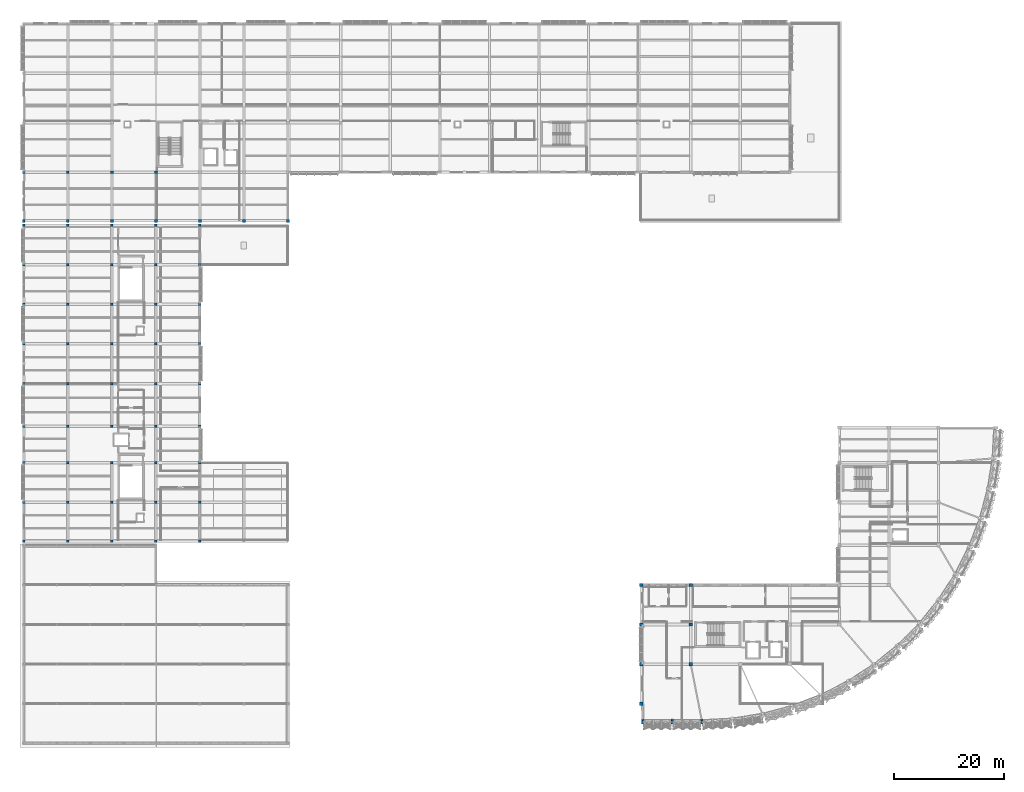
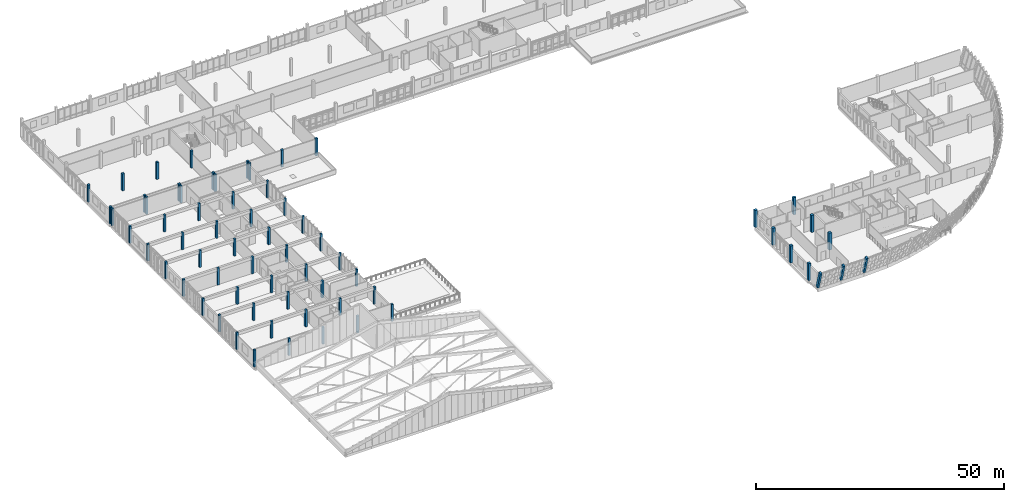
# One storey, part 1 of 107: 66 columns.
"""IFC4 building model written with IfcOpenShell, lengths in metres."""

import ifcopenshell
import ifcopenshell.guid

model = None  # the IFC model being written
_history = None  # IfcOwnerHistory: only IFC2X3 demands one
_inside = {}  # id of a spatial element -> (the spatial element, [elements in it])
_under = {}  # id of a project, library or spatial element -> (it, [spatial elements below it])
_declared = {}  # id of a project -> (the project, [libraries it declares])
_typed = {}  # id of a type object -> (the type object, [elements of that type])
_made_of = {}  # id of a material, layer set ... -> (it, [elements and type objects made of it])


def new_model(schema):
    """Start an empty IFC model of exactly this schema.

    Asked for "IFC4X3", IfcOpenShell would pick the latest addendum, in which some entities
    have other attributes; the version numbers below select the first issue.
    IFC2X3 requires an IfcOwnerHistory on every rooted entity: one is made here for all.
    """
    global model, _history
    if schema == "IFC4X3":
        model = ifcopenshell.file(schema_version=(4, 3, 0, 0))
    else:
        model = ifcopenshell.file(schema=schema)
    _inside.clear()
    _under.clear()
    _declared.clear()
    _typed.clear()
    _made_of.clear()
    _history = None
    if model.schema == "IFC2X3":
        org = make("IfcOrganization", Name="unknown")
        user = make(
            "IfcPersonAndOrganization",
            ThePerson=make("IfcPerson", FamilyName="unknown"),
            TheOrganization=org,
        )
        app = make(
            "IfcApplication",
            ApplicationDeveloper=org,
            Version="unknown",
            ApplicationFullName="unknown",
            ApplicationIdentifier="unknown",
        )
        _history = make(
            "IfcOwnerHistory",
            OwningUser=user,
            OwningApplication=app,
            ChangeAction="ADDED",
            CreationDate=0,
        )
    return model


def make(cls, **values):
    """One entity of the class cls with the attributes given. An attribute that is None is left unset."""
    return model.create_entity(
        cls, **{name: value for name, value in values.items() if value is not None}
    )


def rooted(cls, **values):
    """An entity with a GlobalId (a new one), such as an element, a storey or a relation."""
    return make(cls, GlobalId=ifcopenshell.guid.new(), OwnerHistory=_history, **values)


def si_unit(unit_type, name, prefix=None):
    """IfcSIUnit, for example si_unit("LENGTHUNIT", "METRE", prefix="MILLI")."""
    return make("IfcSIUnit", UnitType=unit_type, Prefix=prefix, Name=name)


def assignment(units):
    """IfcUnitAssignment: the units of a project."""
    return None if units is None else make("IfcUnitAssignment", Units=units)


def point(xyz):
    """IfcCartesianPoint."""
    return None if xyz is None else make("IfcCartesianPoint", Coordinates=xyz)


def direction(xyz):
    """IfcDirection."""
    return None if xyz is None else make("IfcDirection", DirectionRatios=xyz)


def frame(location, z_axis=None, x_axis=None):
    """IfcAxis2Placement3D, a coordinate frame: its origin and axes. An axis left out is left unset."""
    return make(
        "IfcAxis2Placement3D",
        Location=point(location),
        Axis=direction(z_axis),
        RefDirection=direction(x_axis),
    )


def frame_2d(location, x_axis=None):
    """IfcAxis2Placement2D, a coordinate frame in the plane: its origin and x axis."""
    return make(
        "IfcAxis2Placement2D", Location=point(location), RefDirection=direction(x_axis)
    )


def origin():
    """The frame at (0, 0, 0) with its axes left unset."""
    return frame((0.0, 0.0, 0.0))


def origin_2d():
    """The frame at (0, 0) in the plane with its x axis left unset."""
    return frame_2d((0.0, 0.0))


def place(relative_to, where):
    """IfcLocalPlacement: puts the frame where relative to a parent placement (None: the world)."""
    return make(
        "IfcLocalPlacement", PlacementRelTo=relative_to, RelativePlacement=where
    )


def context(
    kind, dimensions, precision=None, world=None, true_north=None, identifier=None
):
    """IfcGeometricRepresentationContext, for example the 3D "Model" context."""
    return make(
        "IfcGeometricRepresentationContext",
        ContextIdentifier=identifier,
        ContextType=kind,
        CoordinateSpaceDimension=dimensions,
        Precision=precision,
        WorldCoordinateSystem=world,
        TrueNorth=true_north,
    )


def subcontext(parent, identifier, kind, view, scale=None):
    """IfcGeometricRepresentationSubContext, for example "Body" below "Model"."""
    return make(
        "IfcGeometricRepresentationSubContext",
        ContextIdentifier=identifier,
        ContextType=kind,
        ParentContext=parent,
        TargetScale=scale,
        TargetView=view,
    )


def project(units=None, contexts=None):
    """IfcProject with its units and contexts."""
    return rooted(
        "IfcProject",
        Name="project",
        RepresentationContexts=contexts,
        UnitsInContext=assignment(units),
    )


def spatial(cls, under=None, at=None, **own):
    """A site, building, storey or space (cls), placed at a placement, below another one or the project."""
    s = rooted(cls, ObjectPlacement=at, **own)
    if under is not None:
        _under.setdefault(under.id(), (under, []))[1].append(s)
    return s


def profile(cls, at=None, kind="AREA", **sizes):
    """A parametric profile (cls). Its sizes go by their IFC names, for example OverallWidth=200.0."""
    return make(cls, ProfileType=kind, Position=at, **sizes)


def rectangle(**sizes):
    """IfcRectangleProfileDef."""
    return profile("IfcRectangleProfileDef", **sizes)


def extrude(swept, where, along, depth):
    """IfcExtrudedAreaSolid: the profile swept, set in the frame where, extruded along a direction by depth."""
    return make(
        "IfcExtrudedAreaSolid",
        SweptArea=swept,
        Position=where,
        ExtrudedDirection=direction(along),
        Depth=depth,
    )


def shape(context_of_items, identifier, shape_type, items):
    """IfcShapeRepresentation: the items that make up one representation, for example the "Body"."""
    return make(
        "IfcShapeRepresentation",
        ContextOfItems=context_of_items,
        RepresentationIdentifier=identifier,
        RepresentationType=shape_type,
        Items=items,
    )


def material(Name=None, Category=None):
    """IfcMaterial."""
    return make("IfcMaterial", Name=Name, Category=Category)


def material_profile(
    of_material, cross_section, Name=None, Category=None, Priority=None
):
    """IfcMaterialProfile: a cross section and its material."""
    return make(
        "IfcMaterialProfile",
        Name=Name,
        Material=of_material,
        Profile=cross_section,
        Priority=Priority,
        Category=Category,
    )


def profile_set(profiles, Name=None, composite=None):
    """IfcMaterialProfileSet."""
    return make(
        "IfcMaterialProfileSet",
        Name=Name,
        MaterialProfiles=profiles,
        CompositeProfile=composite,
    )


def made_of(thing, what):
    """Note that an element or type object is made of a material, layer set ...; save() writes the relation."""
    if what is not None:
        _made_of.setdefault(what.id(), (what, []))[1].append(thing)
    return thing


def type_object(cls, material=None, **own):
    """A type object (cls), such as IfcWallType, which elements share."""
    return made_of(rooted(cls, **own), material)


def element(
    cls,
    number,
    at=None,
    inside=None,
    cuts=None,
    type_object=None,
    material=None,
    context=None,
    identifier="Body",
    shape_type=None,
    held_by="IfcProductDefinitionShape",
    body=None,
    shapes=None,
    **own,
):
    """One element of the class cls, such as IfcWall. Its Tag is "e" and its number.

    at: its placement. inside: the storey or other place that contains it. cuts: it is an
    opening in that element (IfcRelVoidsElement). A single representation is given by context,
    identifier, shape_type and body (its items); several are given by shapes. held_by: the class
    of the entity that holds the representations. save() writes the other relations.
    """
    e = rooted(cls, Tag="e%d" % number, ObjectPlacement=at, **own)
    if body is not None:
        shapes = [shape(context, identifier, shape_type, body)]
    if shapes is not None:
        e.Representation = make(held_by, Representations=shapes)
    if inside is not None:
        _inside.setdefault(inside.id(), (inside, []))[1].append(e)
    if cuts is not None:
        rooted(
            "IfcRelVoidsElement", RelatingBuildingElement=cuts, RelatedOpeningElement=e
        )
    if type_object is not None:
        _typed.setdefault(type_object.id(), (type_object, []))[1].append(e)
    return made_of(e, material)


def aggregate(whole, parts):
    """IfcRelAggregates: a whole, such as a stair, and the parts it consists of."""
    return rooted("IfcRelAggregates", RelatingObject=whole, RelatedObjects=parts)


def save(model, path):
    """Write the relations noted so far, then the file.

    IfcRelAggregates (storeys below a building ...), IfcRelContainedInSpatialStructure (elements
    in a storey), IfcRelDefinesByType, IfcRelAssociatesMaterial and IfcRelDeclares: one each for
    every whole, place, type object, material and project.
    """
    for whole, parts in _under.values():
        aggregate(whole, parts)
    for where, things in _inside.values():
        rooted(
            "IfcRelContainedInSpatialStructure",
            RelatedElements=things,
            RelatingStructure=where,
        )
    for kind, things in _typed.values():
        rooted("IfcRelDefinesByType", RelatedObjects=things, RelatingType=kind)
    for what, things in _made_of.values():
        rooted("IfcRelAssociatesMaterial", RelatedObjects=things, RelatingMaterial=what)
    for by, libraries in _declared.values():
        rooted("IfcRelDeclares", RelatingContext=by, RelatedDefinitions=libraries)
    model.write(path)


model = new_model("IFC4")

# Units and contexts
model_context = context("Model", 3, precision=1e-05, world=origin(), true_north=direction((0.0, 1.0)))
body_context = subcontext(model_context, "Body", "Model", "MODEL_VIEW")
ifc_project = project(units=[si_unit("LENGTHUNIT", "METRE"), si_unit("AREAUNIT", "SQUARE_METRE"), si_unit("VOLUMEUNIT", "CUBIC_METRE"), si_unit("PLANEANGLEUNIT", "RADIAN"), si_unit("MASSUNIT", "GRAM", prefix="KILO")], contexts=[model_context])

# Site, building, storey
site_placement = place(None, origin())
site = spatial("IfcSite", under=ifc_project, at=site_placement, CompositionType="ELEMENT")
building_placement = place(site_placement, origin())
building = spatial("IfcBuilding", under=site, at=building_placement, Name="Chiffa Square Polytechnic", CompositionType="ELEMENT")
storey_placement = place(building_placement, frame((0.0, 0.0, 13.800048828125)))
storey = spatial("IfcBuildingStorey", under=building, at=storey_placement, Name="L03", CompositionType="ELEMENT", Elevation=13.800048828125)

# Columns
ifc_material_1 = material(Name="Glulam GL32c", Category="wood")
ifc_material_profile_1 = material_profile(ifc_material_1, rectangle(XDim=0.449951171875, YDim=0.64990234375, at=origin_2d()), Name="GL32c 450x650")
ifc_profile_set_1 = profile_set([ifc_material_profile_1], Name="Glulam GL32c")
column_type_1 = type_object("IfcColumnType", Name="COL-RAKED-GL650", PredefinedType="USERDEFINED", material=ifc_profile_set_1)
for number, where, z_axis, x_axis, name in (
    (1, (112.449951171875, 4.162109375, 0.0), (0.0, -0.272437753797, 0.962173409685), (1.0, 0.0, 0.0), "Outward-leaning glulam column CRK-V1-L03-01"),
    (2, (117.824951171875, 4.162109375, 0.0), (0.0, -0.272437753797, 0.962173409685), (1.0, 0.0, 0.0), "Outward-leaning glulam column CRK-V1-L03-02"),
    (3, (123.199951171875, 4.162109375, 0.0), (0.0, -0.272437753797, 0.962173409685), (1.0, 0.0, 0.0), "Outward-leaning glulam column CRK-V1-L03-03"),
):
    element("IfcColumn", number, at=place(storey_placement, frame(where, z_axis=z_axis, x_axis=x_axis)), inside=storey, type_object=column_type_1, Name=name, ObjectType="RAKED COLUMN", PredefinedType="USERDEFINED", context=body_context, shape_type="SweptSolid", body=[
        extrude(rectangle(XDim=0.449951171875, YDim=0.64990234375, at=origin_2d()), origin(), (0.0, 0.0, 1.0), 4.364990234375),
    ])
ifc_material_2 = material(Name="Concrete C35/45", Category="concrete")
ifc_material_profile_2 = material_profile(ifc_material_2, rectangle(XDim=0.449951171875, YDim=0.449951171875, at=origin_2d()), Name="RC 450x450")
ifc_profile_set_2 = profile_set([ifc_material_profile_2], Name="Concrete C35/45")
column_type_2 = type_object("IfcColumnType", Name="COL-RC-450", PredefinedType="COLUMN", material=ifc_profile_set_2)
for number, where, z_axis, x_axis, name in (
    (4, (0.0, 36.75, 0.0), (0.0, 0.0, 1.0), (1.0, 0.0, 0.0), "Column C-V6-L03-0000-0368"),
    (5, (0.0, 43.800048828125, 0.0), (0.0, 0.0, 1.0), (1.0, 0.0, 0.0), "Column C-V6-L03-0000-0438"),
    (6, (0.0, 51.0, 0.0), (0.0, 0.0, 1.0), (1.0, 0.0, 0.0), "Column C-V6-L03-0000-0510"),
    (7, (0.0, 57.60009765625, 0.0), (0.0, 0.0, 1.0), (1.0, 0.0, 0.0), "Column C-V6-L03-0000-0576"),
    (8, (0.0, 65.39990234375, 0.0), (0.0, 0.0, 1.0), (1.0, 0.0, 0.0), "Column C-V6-L03-0000-0654"),
    (9, (0.0, 72.60009765625, 0.0), (0.0, 0.0, 1.0), (1.0, 0.0, 0.0), "Column C-V6-L03-0000-0726"),
    (10, (0.0, 79.800048828125, 0.0), (0.0, 0.0, 1.0), (1.0, 0.0, 0.0), "Column C-V6-L03-0000-0798"),
    (11, (0.0, 87.0, 0.0), (0.0, 0.0, 1.0), (1.0, 0.0, 0.0), "Column C-V6-L03-0000-0870"),
    (12, (0.0, 94.199951171875, 0.0), (0.0, 0.0, 1.0), (1.0, 0.0, 0.0), "Column C-V6-L03-0000-0942"),
    (13, (8.0, 36.75, 0.0), (0.0, 0.0, 1.0), (1.0, 0.0, 0.0), "Column C-V6-L03-0080-0368"),
    (14, (8.0, 43.800048828125, 0.0), (0.0, 0.0, 1.0), (1.0, 0.0, 0.0), "Column C-V6-L03-0080-0438"),
    (15, (8.0, 51.0, 0.0), (0.0, 0.0, 1.0), (1.0, 0.0, 0.0), "Column C-V6-L03-0080-0510"),
    (16, (8.0, 57.60009765625, 0.0), (0.0, 0.0, 1.0), (1.0, 0.0, 0.0), "Column C-V6-L03-0080-0576"),
    (17, (8.0, 65.39990234375, 0.0), (0.0, 0.0, 1.0), (1.0, 0.0, 0.0), "Column C-V6-L03-0080-0654"),
    (18, (8.0, 72.60009765625, 0.0), (0.0, 0.0, 1.0), (1.0, 0.0, 0.0), "Column C-V6-L03-0080-0726"),
    (19, (8.0, 79.800048828125, 0.0), (0.0, 0.0, 1.0), (1.0, 0.0, 0.0), "Column C-V6-L03-0080-0798"),
    (20, (8.0, 87.0, 0.0), (0.0, 0.0, 1.0), (1.0, 0.0, 0.0), "Column C-V6-L03-0080-0870"),
    (21, (8.0, 94.199951171875, 0.0), (0.0, 0.0, 1.0), (1.0, 0.0, 0.0), "Column C-V6-L03-0080-0942"),
    (22, (16.0, 36.75, 0.0), (0.0, 0.0, 1.0), (1.0, 0.0, 0.0), "Column C-V6-L03-0160-0368"),
    (23, (16.0, 43.800048828125, 0.0), (0.0, 0.0, 1.0), (1.0, 0.0, 0.0), "Column C-V6-L03-0160-0438"),
    (24, (16.0, 51.0, 0.0), (0.0, 0.0, 1.0), (1.0, 0.0, 0.0), "Column C-V6-L03-0160-0510"),
    (25, (16.0, 57.60009765625, 0.0), (0.0, 0.0, 1.0), (1.0, 0.0, 0.0), "Column C-V6-L03-0160-0576"),
    (26, (16.0, 65.39990234375, 0.0), (0.0, 0.0, 1.0), (1.0, 0.0, 0.0), "Column C-V6-L03-0160-0654"),
    (27, (16.0, 72.60009765625, 0.0), (0.0, 0.0, 1.0), (1.0, 0.0, 0.0), "Column C-V6-L03-0160-0726"),
    (28, (16.0, 79.800048828125, 0.0), (0.0, 0.0, 1.0), (1.0, 0.0, 0.0), "Column C-V6-L03-0160-0798"),
    (29, (16.0, 87.0, 0.0), (0.0, 0.0, 1.0), (1.0, 0.0, 0.0), "Column C-V6-L03-0160-0870"),
    (30, (16.0, 94.199951171875, 0.0), (0.0, 0.0, 1.0), (1.0, 0.0, 0.0), "Column C-V6-L03-0160-0942"),
    (31, (24.0, 36.75, 0.0), (0.0, 0.0, 1.0), (1.0, 0.0, 0.0), "Column C-V6-L03-0240-0368"),
    (32, (24.0, 43.800048828125, 0.0), (0.0, 0.0, 1.0), (1.0, 0.0, 0.0), "Column C-V6-L03-0240-0438"),
    (33, (24.0, 51.0, 0.0), (0.0, 0.0, 1.0), (1.0, 0.0, 0.0), "Column C-V6-L03-0240-0510"),
    (34, (24.0, 57.60009765625, 0.0), (0.0, 0.0, 1.0), (1.0, 0.0, 0.0), "Column C-V6-L03-0240-0576"),
    (35, (24.0, 65.39990234375, 0.0), (0.0, 0.0, 1.0), (1.0, 0.0, 0.0), "Column C-V6-L03-0240-0654"),
    (36, (24.0, 72.60009765625, 0.0), (0.0, 0.0, 1.0), (1.0, 0.0, 0.0), "Column C-V6-L03-0240-0726"),
    (37, (24.0, 79.800048828125, 0.0), (0.0, 0.0, 1.0), (1.0, 0.0, 0.0), "Column C-V6-L03-0240-0798"),
    (38, (24.0, 87.0, 0.0), (0.0, 0.0, 1.0), (1.0, 0.0, 0.0), "Column C-V6-L03-0240-0870"),
    (39, (24.0, 94.199951171875, 0.0), (0.0, 0.0, 1.0), (1.0, 0.0, 0.0), "Column C-V6-L03-0240-0942"),
    (40, (32.0, 36.75, 0.0), (0.0, 0.0, 1.0), (1.0, 0.0, 0.0), "Column C-V6-L03-0320-0368"),
    (41, (32.0, 43.800048828125, 0.0), (0.0, 0.0, 1.0), (1.0, 0.0, 0.0), "Column C-V6-L03-0320-0438"),
    (42, (32.0, 51.0, 0.0), (0.0, 0.0, 1.0), (1.0, 0.0, 0.0), "Column C-V6-L03-0320-0510"),
    (43, (32.0, 57.60009765625, 0.0), (0.0, 0.0, 1.0), (1.0, 0.0, 0.0), "Column C-V6-L03-0320-0576"),
    (44, (32.0, 65.39990234375, 0.0), (0.0, 0.0, 1.0), (1.0, 0.0, 0.0), "Column C-V6-L03-0320-0654"),
    (45, (32.0, 72.60009765625, 0.0), (0.0, 0.0, 1.0), (1.0, 0.0, 0.0), "Column C-V6-L03-0320-0726"),
    (46, (32.0, 79.800048828125, 0.0), (0.0, 0.0, 1.0), (1.0, 0.0, 0.0), "Column C-V6-L03-0320-0798"),
    (47, (32.0, 87.0, 0.0), (0.0, 0.0, 1.0), (1.0, 0.0, 0.0), "Column C-V6-L03-0320-0870"),
    (48, (32.0, 94.199951171875, 0.0), (0.0, 0.0, 1.0), (1.0, 0.0, 0.0), "Column C-V6-L03-0320-0942"),
):
    element("IfcColumn", number, at=place(storey_placement, frame(where, z_axis=z_axis, x_axis=x_axis)), inside=storey, type_object=column_type_2, Name=name, PredefinedType="COLUMN", context=body_context, shape_type="SweptSolid", body=[
        extrude(rectangle(XDim=0.449951171875, YDim=0.449951171875, at=origin_2d()), origin(), (0.0, 0.0, 1.0), 4.199951171875),
    ])
ifc_material_profile_3 = material_profile(ifc_material_2, rectangle(XDim=0.5, YDim=0.5, at=origin_2d()), Name="RC 500x500")
ifc_profile_set_3 = profile_set([ifc_material_profile_3], Name="Concrete C35/45")
column_type_3 = type_object("IfcColumnType", Name="COL-RC-500", PredefinedType="COLUMN", material=ifc_profile_set_3)
for number, where, z_axis, x_axis, name in (
    (49, (0.0, 94.949951171875, 0.0), (0.0, 0.0, 1.0), (1.0, 0.0, 0.0), "Column C-V5-L03-0000-0950"),
    (50, (0.0, 103.800048828125, 0.0), (0.0, 0.0, 1.0), (1.0, 0.0, 0.0), "Column C-V5-L03-0000-1038"),
    (51, (8.0, 94.949951171875, 0.0), (0.0, 0.0, 1.0), (1.0, 0.0, 0.0), "Column C-V5-L03-0080-0950"),
    (52, (8.0, 103.800048828125, 0.0), (0.0, 0.0, 1.0), (1.0, 0.0, 0.0), "Column C-V5-L03-0080-1038"),
    (53, (16.0, 94.949951171875, 0.0), (0.0, 0.0, 1.0), (1.0, 0.0, 0.0), "Column C-V5-L03-0160-0950"),
    (54, (16.0, 103.800048828125, 0.0), (0.0, 0.0, 1.0), (1.0, 0.0, 0.0), "Column C-V5-L03-0160-1038"),
    (55, (24.0, 94.949951171875, 0.0), (0.0, 0.0, 1.0), (1.0, 0.0, 0.0), "Column C-V5-L03-0240-0950"),
    (56, (24.0, 103.800048828125, 0.0), (0.0, 0.0, 1.0), (1.0, 0.0, 0.0), "Column C-V5-L03-0240-1038"),
    (57, (32.0, 94.949951171875, 0.0), (0.0, 0.0, 1.0), (1.0, 0.0, 0.0), "Column C-V5-L03-0320-0950"),
    (58, (40.0, 94.949951171875, 0.0), (0.0, 0.0, 1.0), (1.0, 0.0, 0.0), "Column C-V5-L03-0400-0950"),
    (59, (48.0, 94.949951171875, 0.0), (0.0, 0.0, 1.0), (1.0, 0.0, 0.0), "Column C-V5-L03-0480-0950"),
):
    element("IfcColumn", number, at=place(storey_placement, frame(where, z_axis=z_axis, x_axis=x_axis)), inside=storey, type_object=column_type_3, Name=name, PredefinedType="COLUMN", context=body_context, shape_type="SweptSolid", body=[
        extrude(rectangle(XDim=0.5, YDim=0.5, at=origin_2d()), origin(), (0.0, 0.0, 1.0), 4.199951171875),
    ])
ifc_material_3 = material(Name="Concrete C40/50", Category="concrete")
ifc_material_profile_4 = material_profile(ifc_material_3, rectangle(XDim=0.60009765625, YDim=0.60009765625, at=origin_2d()), Name="RC 600x600")
ifc_profile_set_4 = profile_set([ifc_material_profile_4], Name="Concrete C40/50")
column_type_4 = type_object("IfcColumnType", Name="COL-RC-600", PredefinedType="COLUMN", material=ifc_profile_set_4)
for number, where, z_axis, x_axis, name in (
    (60, (112.199951171875, 7.199951171875, 0.0), (0.0, 0.0, 1.0), (1.0, 0.0, 0.0), "Column C-V1-L03-1122-0072"),
    (61, (112.199951171875, 14.39990234375, 0.0), (0.0, 0.0, 1.0), (1.0, 0.0, 0.0), "Column C-V1-L03-1122-0144"),
    (62, (112.199951171875, 21.60009765625, 0.0), (0.0, 0.0, 1.0), (1.0, 0.0, 0.0), "Column C-V1-L03-1122-0216"),
    (63, (112.199951171875, 28.800048828125, 0.0), (0.0, 0.0, 1.0), (1.0, 0.0, 0.0), "Column C-V1-L03-1122-0288"),
    (64, (121.199951171875, 14.39990234375, 0.0), (0.0, 0.0, 1.0), (1.0, 0.0, 0.0), "Column C-V1-L03-1212-0144"),
    (65, (121.199951171875, 21.60009765625, 0.0), (0.0, 0.0, 1.0), (1.0, 0.0, 0.0), "Column C-V1-L03-1212-0216"),
    (66, (121.199951171875, 28.800048828125, 0.0), (0.0, 0.0, 1.0), (1.0, 0.0, 0.0), "Column C-V1-L03-1212-0288"),
):
    element("IfcColumn", number, at=place(storey_placement, frame(where, z_axis=z_axis, x_axis=x_axis)), inside=storey, type_object=column_type_4, Name=name, PredefinedType="COLUMN", context=body_context, shape_type="SweptSolid", body=[
        extrude(rectangle(XDim=0.60009765625, YDim=0.60009765625, at=origin_2d()), origin(), (0.0, 0.0, 1.0), 4.199951171875),
    ])

save(model, "model.ifc")
